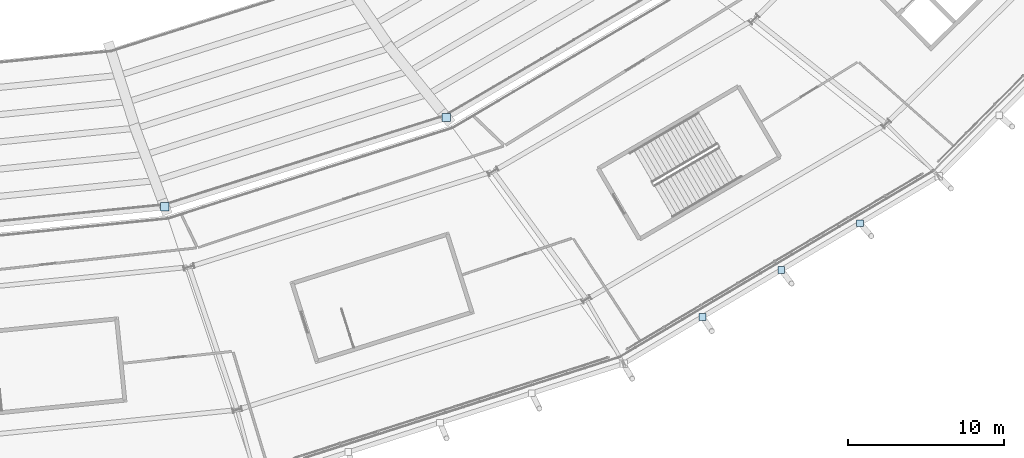
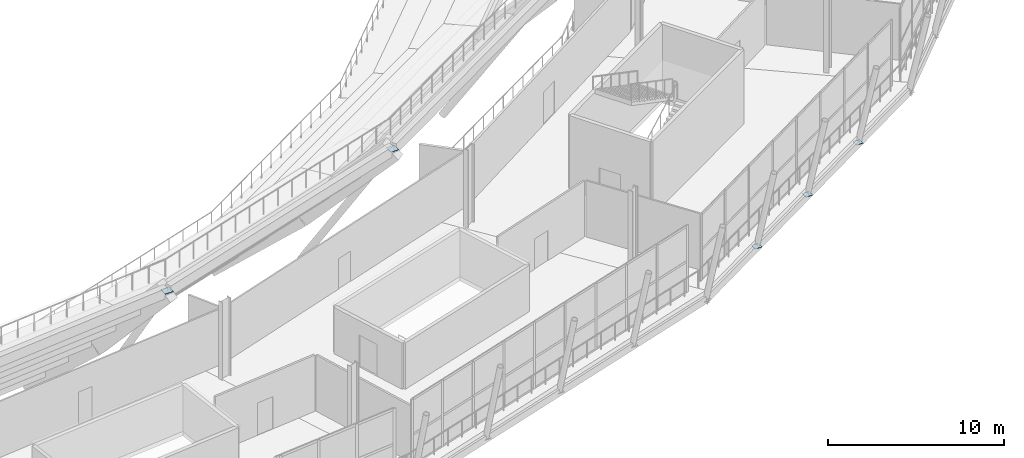
# One storey, part 83 of 126: 5 plates.
"""IFC4 building model written with IfcOpenShell, lengths in metres."""

from ifc_helpers import new_model, si_unit, direction, frame, origin, origin_2d, place, context, subcontext, project, spatial, rectangle, extrude, material, layer, layer_set, type_object, element, save


model = new_model("IFC4")

# Units and contexts
model_context = context("Model", 3, precision=1e-05, world=origin(), true_north=direction((0.0, 1.0)))
body_context = subcontext(model_context, "Body", "Model", "MODEL_VIEW")
ifc_project = project(units=[si_unit("LENGTHUNIT", "METRE"), si_unit("AREAUNIT", "SQUARE_METRE"), si_unit("VOLUMEUNIT", "CUBIC_METRE"), si_unit("PLANEANGLEUNIT", "RADIAN"), si_unit("MASSUNIT", "GRAM", prefix="KILO")], contexts=[model_context])

# Site, building, storey
site_placement = place(None, origin())
site = spatial("IfcSite", under=ifc_project, at=site_placement, CompositionType="ELEMENT")
building_placement = place(site_placement, origin())
building = spatial("IfcBuilding", under=site, at=building_placement, Name="Zlatoyarsky Gate Stadium", CompositionType="ELEMENT")
storey_placement = place(building_placement, frame((0.0, 0.0, 20.800048828125)))
storey = spatial("IfcBuildingStorey", under=building, at=storey_placement, Name="L04", CompositionType="ELEMENT", Elevation=20.800048828125)

# Plates
ifc_material = material(Name="Steel S355", Category="steel")
ifc_layer = layer(ifc_material, 0.02392578125)
ifc_layer_set = layer_set([ifc_layer], Name="Steel S355")
plate_type = type_object("IfcPlateType", Name="STEEL HOLLOW CHORD SPLICE SHEET 24", PredefinedType="SHEET", material=ifc_layer_set)
for number, where, z_axis, x_axis, name in (
    (1, (130.411376953125, 24.459228515625, 4.177978515625), (0.0, 0.0, 1.0), (1.0, 0.0, 0.0), "Node closure plate ND-SP1 NCAP-UTOP-19"),
    (2, (148.5, 30.20361328125, 4.177978515625), (0.0, 0.0, 1.0), (1.0, 0.0, 0.0), "Node closure plate ND-SP1 NCAP-UTOP-20"),
):
    element("IfcPlate", number, at=place(storey_placement, frame(where, z_axis=z_axis, x_axis=x_axis)), inside=storey, type_object=plate_type, Name=name, PredefinedType="SHEET", context=body_context, shape_type="SweptSolid", body=[
        extrude(rectangle(XDim=0.5400390625, YDim=0.5400390625, at=origin_2d()), origin(), (0.0, 0.0, 1.0), 0.02392578125),
    ])
for number, where, z_axis, x_axis, name in (
    (3, (164.947021484375, 17.391845703125, -0.56201171875), (0.0, 0.0, 1.0), (1.0, 0.0, 0.0), "Node closure plate ND-SP1 NCAP-RIB-20-1-2T"),
    (4, (170.00927734375, 20.402099609375, -0.56201171875), (0.0, 0.0, 1.0), (1.0, 0.0, 0.0), "Node closure plate ND-SP1 NCAP-RIB-20-2-2T"),
    (5, (175.0712890625, 23.41259765625, -0.56201171875), (0.0, 0.0, 1.0), (1.0, 0.0, 0.0), "Node closure plate ND-SP1 NCAP-RIB-20-3-2T"),
):
    element("IfcPlate", number, at=place(storey_placement, frame(where, z_axis=z_axis, x_axis=x_axis)), inside=storey, type_object=plate_type, Name=name, PredefinedType="SHEET", context=body_context, shape_type="SweptSolid", body=[
        extrude(rectangle(XDim=0.43994140625, YDim=0.43994140625, at=origin_2d()), origin(), (0.0, 0.0, 1.0), 0.02392578125),
    ])

save(model, "model.ifc")
